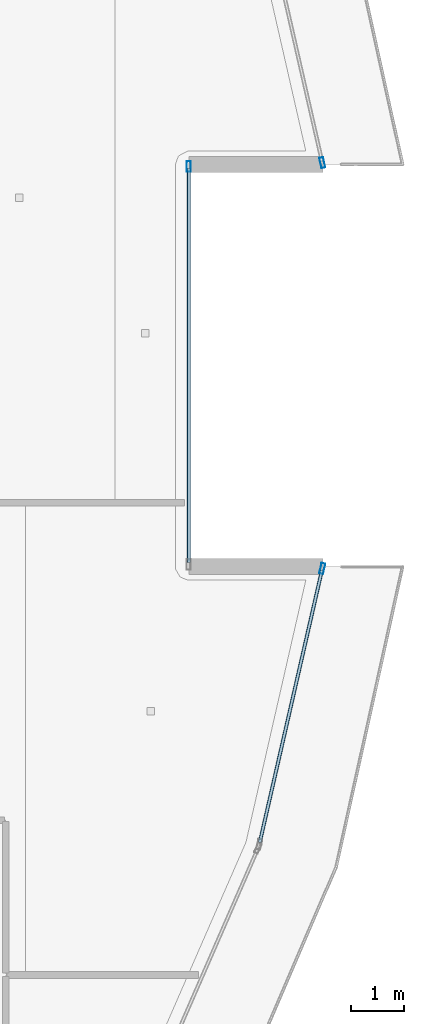
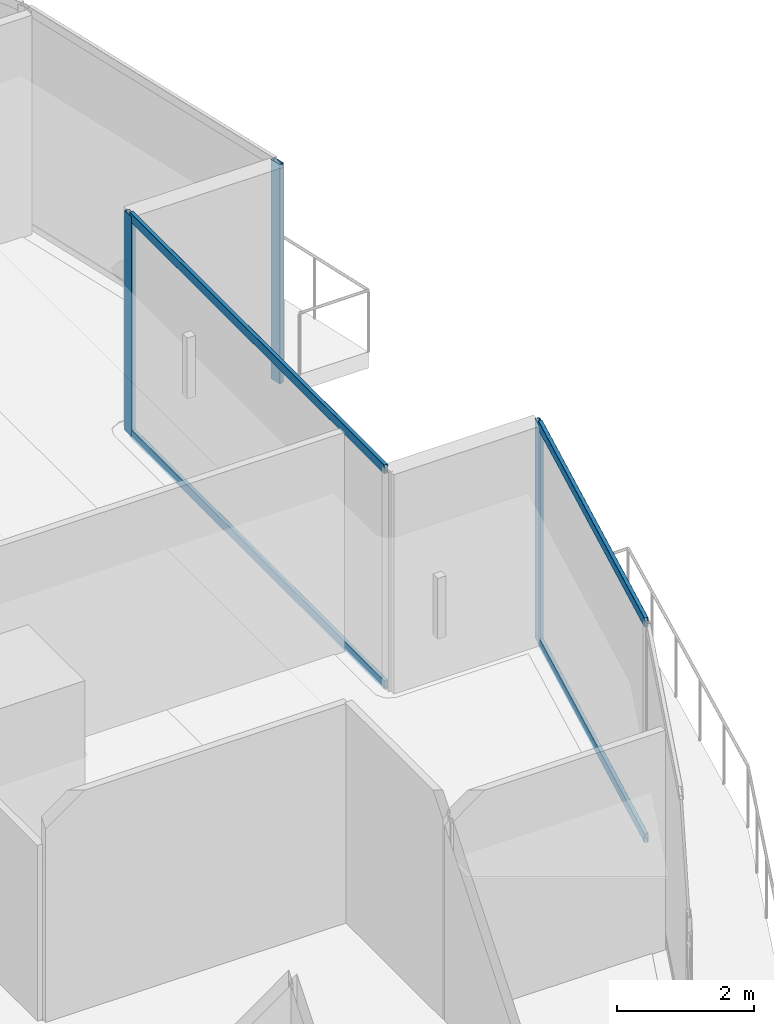
# One storey, part 13 of 36: 7 members, 3 elements without a shape of their own.
"""IFC4 building model written with IfcOpenShell, lengths in metres."""

from ifc_helpers import new_model, si_unit, direction, frame, origin, origin_2d, place, context, subcontext, project, spatial, hollow_rectangle, extrude, material, layer, layer_set, material_profile, profile_set, type_object, element, aggregate, save


model = new_model("IFC4")

# Units and contexts
model_context = context("Model", 3, precision=1e-05, world=origin(), true_north=direction((0.0, 1.0)))
body_context = subcontext(model_context, "Body", "Model", "MODEL_VIEW")
ifc_project = project(units=[si_unit("LENGTHUNIT", "METRE"), si_unit("AREAUNIT", "SQUARE_METRE"), si_unit("VOLUMEUNIT", "CUBIC_METRE"), si_unit("PLANEANGLEUNIT", "RADIAN"), si_unit("MASSUNIT", "GRAM", prefix="KILO")], contexts=[model_context])

# Site, building, storey
site_placement = place(None, origin())
site = spatial("IfcSite", under=ifc_project, at=site_placement, CompositionType="ELEMENT")
building_placement = place(site_placement, origin())
building = spatial("IfcBuilding", under=site, at=building_placement, Name="Qorvath Tower", CompositionType="ELEMENT")
storey_placement = place(building_placement, frame((0.0, 0.0, 272.39990234375)))
storey = spatial("IfcBuildingStorey", under=building, at=storey_placement, Name="L63", CompositionType="ELEMENT", Elevation=272.39990234375)

# Curtain wall, member
ifc_material_1 = material(Name="Anodised aluminium and triple low-E glass", Category="aluminium")
ifc_layer = layer(ifc_material_1, 0.179931640625)
ifc_layer_set = layer_set([ifc_layer], Name="CW-SYS-4")
curtain_wall_type = type_object("IfcCurtainWallType", Name="CW-SYS-4", PredefinedType="NOTDEFINED", material=ifc_layer_set)
curtain_wall_1_placement = place(storey_placement, origin())
curtain_wall_1 = element("IfcCurtainWall", 1, at=curtain_wall_1_placement, inside=storey, type_object=curtain_wall_type, Name="Curtain Wall CW-4 CW-T-L63-7.1", PredefinedType="NOTDEFINED")
ifc_material_2 = material(Name="Anodised aluminium 6063-T6", Category="aluminium")
ifc_material_profile_1 = material_profile(ifc_material_2, hollow_rectangle(XDim=0.074951171875, YDim=0.199951171875, WallThickness=0.00390625, InnerFilletRadius=0.00390625, OuterFilletRadius=0.008056640625, at=origin_2d()), Name="CWM 200x75")
ifc_profile_set_1 = profile_set([ifc_material_profile_1], Name="Anodised aluminium 6063-T6")
member_type_1 = type_object("IfcMemberType", Name="CWM-200", PredefinedType="MULLION", material=ifc_profile_set_1)
member_1_placement = place(storey_placement, frame((-2.019775390625, -3.827392578125, 0.0), z_axis=(0.0, 0.0, 1.0), x_axis=(-0.974911683446, 0.222592024744, 0.0)))
member_1 = element("IfcMember", 2, at=member_1_placement, type_object=member_type_1, Name="CW-4 mullion 2", PredefinedType="MULLION", context=body_context, shape_type="SweptSolid", body=[
    extrude(hollow_rectangle(XDim=0.074951171875, YDim=0.199951171875, WallThickness=0.00390625, InnerFilletRadius=0.00390625, OuterFilletRadius=0.008056640625, at=origin_2d()), origin(), (0.0, 0.0, 1.0), 3.91015625),
])

curtain_wall_2_placement = place(storey_placement, origin())
curtain_wall_2 = element("IfcCurtainWall", 3, at=curtain_wall_2_placement, inside=storey, type_object=curtain_wall_type, Name="Curtain Wall CW-4 CW-T-L63-9.1", PredefinedType="NOTDEFINED")
member_2_placement = place(storey_placement, frame((-4.538818359375, 3.75341796875, 0.0), z_axis=(0.0, 0.0, 1.0), x_axis=(-1.0, 0.0, 0.0)))
member_2 = element("IfcMember", 4, at=member_2_placement, type_object=member_type_1, Name="CW-4 mullion 2", PredefinedType="MULLION", context=body_context, shape_type="SweptSolid", body=[
    extrude(hollow_rectangle(XDim=0.074951171875, YDim=0.199951171875, WallThickness=0.00390625, InnerFilletRadius=0.00390625, OuterFilletRadius=0.008056640625, at=origin_2d()), origin(), (0.0, 0.0, 1.0), 3.91015625),
])

curtain_wall_3_placement = place(storey_placement, origin())
curtain_wall_3 = element("IfcCurtainWall", 5, at=curtain_wall_3_placement, inside=storey, type_object=curtain_wall_type, Name="Curtain Wall CW-4 CW-T-L63-11.1", PredefinedType="NOTDEFINED")
member_3_placement = place(storey_placement, frame((-2.019775390625, 3.827392578125, 0.0), z_axis=(0.0, 0.0, 1.0), x_axis=(-0.974911683446, -0.222592024744, 0.0)))
member_3 = element("IfcMember", 6, at=member_3_placement, type_object=member_type_1, Name="CW-4 mullion 1", PredefinedType="MULLION", context=body_context, shape_type="SweptSolid", body=[
    extrude(hollow_rectangle(XDim=0.074951171875, YDim=0.199951171875, WallThickness=0.00390625, InnerFilletRadius=0.00390625, OuterFilletRadius=0.008056640625, at=origin_2d()), origin(), (0.0, 0.0, 1.0), 3.91015625),
])
aggregate(curtain_wall_3, [member_3])

# Member
ifc_material_3 = material(Name="Anodised aluminium 6063-T6", Category="aluminium")
ifc_material_profile_2 = material_profile(ifc_material_3, hollow_rectangle(XDim=0.06494140625, YDim=0.159912109375, WallThickness=0.00341796875, InnerFilletRadius=0.00341796875, OuterFilletRadius=0.007080078125, at=origin_2d()), Name="CWT 160x65")
ifc_profile_set_2 = profile_set([ifc_material_profile_2], Name="Anodised aluminium 6063-T6")
member_type_2 = type_object("IfcMemberType", Name="CWT-160", PredefinedType="USERDEFINED", material=ifc_profile_set_2)
member_4_placement = place(storey_placement, frame((-3.19970703125, -8.994384765625, 0.032470703125), z_axis=(0.222639621709, 0.974900814876, 0.0), x_axis=(-0.974900814876, 0.222639621709, 0.0)))
member_4 = element("IfcMember", 7, at=member_4_placement, type_object=member_type_2, Name="CW-4 transom 1.1", ObjectType="TRANSOM", PredefinedType="USERDEFINED", context=body_context, shape_type="SweptSolid", body=[
    extrude(hollow_rectangle(XDim=0.06494140625, YDim=0.159912109375, WallThickness=0.00341796875, InnerFilletRadius=0.00341796875, OuterFilletRadius=0.007080078125, at=origin_2d()), origin(), (0.0, 0.0, 1.0), 5.262451171875),
])

member_5_placement = place(storey_placement, frame((-3.19970703125, -8.994384765625, 3.877685546875), z_axis=(0.222639621709, 0.974900814876, 0.0), x_axis=(-0.974900814876, 0.222639621709, 0.0)))
member_5 = element("IfcMember", 8, at=member_5_placement, type_object=member_type_2, Name="CW-4 transom 1.2", ObjectType="TRANSOM", PredefinedType="USERDEFINED", context=body_context, shape_type="SweptSolid", body=[
    extrude(hollow_rectangle(XDim=0.06494140625, YDim=0.159912109375, WallThickness=0.00341796875, InnerFilletRadius=0.00341796875, OuterFilletRadius=0.007080078125, at=origin_2d()), origin(), (0.0, 0.0, 1.0), 5.262451171875),
])

aggregate(curtain_wall_1, [member_1, member_4, member_5])

member_6_placement = place(storey_placement, frame((-4.538818359375, -3.7158203125, 0.032470703125), z_axis=(0.0, 1.0, 0.0), x_axis=(-1.0, 0.0, 0.0)))
member_6 = element("IfcMember", 9, at=member_6_placement, type_object=member_type_2, Name="CW-4 transom 1.1", ObjectType="TRANSOM", PredefinedType="USERDEFINED", context=body_context, shape_type="SweptSolid", body=[
    extrude(hollow_rectangle(XDim=0.06494140625, YDim=0.159912109375, WallThickness=0.00341796875, InnerFilletRadius=0.00341796875, OuterFilletRadius=0.007080078125, at=origin_2d()), origin(), (0.0, 0.0, 1.0), 7.431640625),
])

member_7_placement = place(storey_placement, frame((-4.538818359375, -3.7158203125, 3.877685546875), z_axis=(0.0, 1.0, 0.0), x_axis=(-1.0, 0.0, 0.0)))
member_7 = element("IfcMember", 10, at=member_7_placement, type_object=member_type_2, Name="CW-4 transom 1.2", ObjectType="TRANSOM", PredefinedType="USERDEFINED", context=body_context, shape_type="SweptSolid", body=[
    extrude(hollow_rectangle(XDim=0.06494140625, YDim=0.159912109375, WallThickness=0.00341796875, InnerFilletRadius=0.00341796875, OuterFilletRadius=0.007080078125, at=origin_2d()), origin(), (0.0, 0.0, 1.0), 7.431640625),
])

aggregate(curtain_wall_2, [member_2, member_6, member_7])

save(model, "model.ifc")
